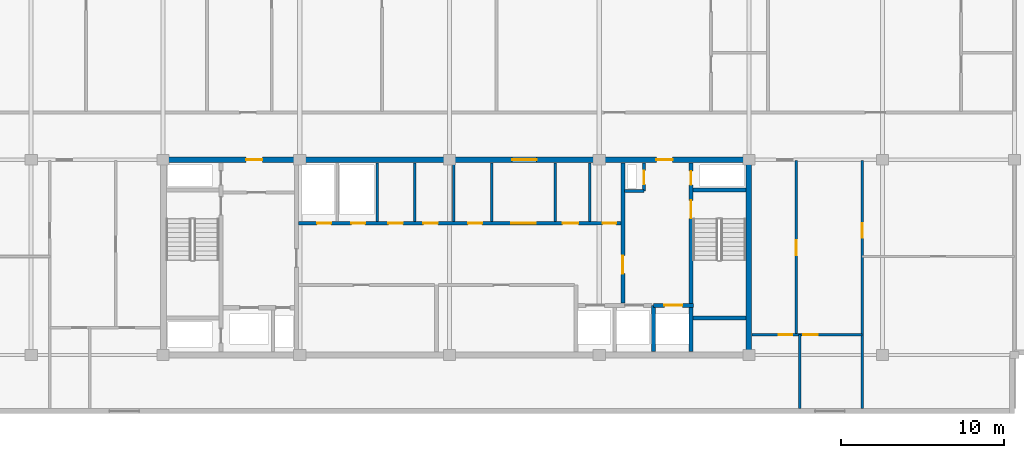
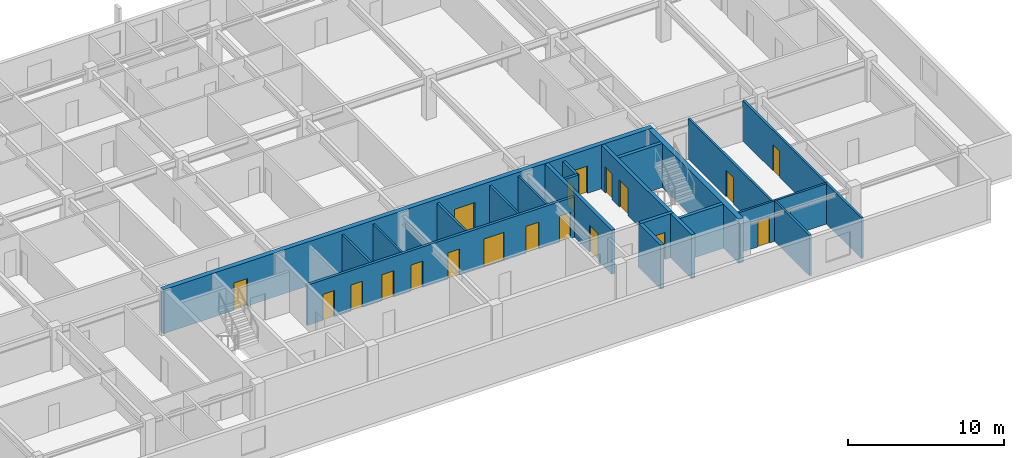
# One storey, part 5 of 11: 21 walls, 20 doors, 20 openings.
"""IFC4 building model written with IfcOpenShell, lengths in metres."""

from ifc_helpers import new_model, si_unit, direction, frame, frame_2d, origin, place, context, subcontext, project, spatial, rectangle, extrude, material, layer, layer_set, type_object, element, fill, save


model = new_model("IFC4")

# Units and contexts
model_context = context("Model", 3, precision=1e-05, world=origin(), true_north=direction((0.0, 1.0)))
body_context = subcontext(model_context, "Body", "Model", "MODEL_VIEW")
ifc_project = project(units=[si_unit("LENGTHUNIT", "METRE"), si_unit("AREAUNIT", "SQUARE_METRE"), si_unit("VOLUMEUNIT", "CUBIC_METRE"), si_unit("PLANEANGLEUNIT", "RADIAN"), si_unit("MASSUNIT", "GRAM", prefix="KILO")], contexts=[model_context])

# Site, building, storey
site_placement = place(None, origin())
site = spatial("IfcSite", under=ifc_project, at=site_placement, CompositionType="ELEMENT")
building_placement = place(site_placement, origin())
building = spatial("IfcBuilding", under=site, at=building_placement, Name="Korimba Cascade Residences", CompositionType="ELEMENT")
storey_placement = place(building_placement, frame((0.0, 0.0, 252.800048828125)))
storey = spatial("IfcBuildingStorey", under=building, at=storey_placement, Name="L73", CompositionType="ELEMENT", Elevation=252.800048828125)

# Wall
ifc_material_1 = material(Name="Concrete C65/80", Category="concrete")
ifc_layer_1 = layer(ifc_material_1, 0.35009765625)
ifc_layer_set_1 = layer_set([ifc_layer_1], Name="Concrete C65/80")
wall_type_1 = type_object("IfcWallType", Name="WAL-CORE-350", PredefinedType="SHEAR", material=ifc_layer_set_1)
wall_1_placement = place(storey_placement, frame((112.074951171875, 55.375, 0.0), z_axis=(0.0, 0.0, 1.0), x_axis=(0.0, 1.0, 0.0)))
element("IfcWall", 1, at=wall_1_placement, inside=storey, type_object=wall_type_1, Name="L73 Core Shear Wall CW-L73-T1-E", PredefinedType="SHEAR", context=body_context, shape_type="SweptSolid", body=[
    extrude(rectangle(XDim=11.64990234375, YDim=0.35009765625, at=frame_2d((5.824951171875, 0.0))), origin(), (0.0, 0.0, 1.0), 3.449951171875),
])

# Wall, openings, doors
wall_2_placement = place(storey_placement, frame((75.949951171875, 67.199951171875, 0.0), z_axis=(0.0, 0.0, 1.0), x_axis=(1.0, 0.0, 0.0)))
wall_2 = element("IfcWall", 2, at=wall_2_placement, inside=storey, type_object=wall_type_1, Name="L73 Core Shear Wall CW-L73-T1-N", PredefinedType="SHEAR", context=body_context, shape_type="SweptSolid", body=[
    extrude(rectangle(XDim=36.300048828125, YDim=0.35009765625, at=frame_2d((18.14990234375, 0.0))), origin(), (0.0, 0.0, 1.0), 3.449951171875),
])
opening_1_placement = place(wall_2_placement, frame((5.25, 0.0, 0.0)))
opening_1 = element("IfcOpeningElement", 3, at=opening_1_placement, cuts=wall_2, Name="Opening D-FD5", PredefinedType="OPENING", context=body_context, shape_type="SweptSolid", body=[
    extrude(rectangle(XDim=1.0, YDim=2.14990234375, at=frame_2d((0.5, 1.074951171875))), frame((0.0, 0.18505859375, 0.0), z_axis=(0.0, -1.0, 0.0), x_axis=(1.0, 0.0, 0.0)), (0.0, 0.0, 1.0), 0.3701171875),
])
opening_2_placement = place(wall_2_placement, frame((21.60009765625, 0.0, 0.0)))
opening_2 = element("IfcOpeningElement", 4, at=opening_2_placement, cuts=wall_2, Name="Opening D-FD8", PredefinedType="OPENING", context=body_context, shape_type="SweptSolid", body=[
    extrude(rectangle(XDim=1.5, YDim=2.199951171875, at=frame_2d((0.75, 1.10009765625))), frame((0.0, 0.18505859375, 0.0), z_axis=(0.0, -1.0, 0.0), x_axis=(1.0, 0.0, 0.0)), (0.0, 0.0, 1.0), 0.3701171875),
])
opening_3_placement = place(wall_2_placement, frame((30.449951171875, 0.0, 0.0)))
opening_3 = element("IfcOpeningElement", 5, at=opening_3_placement, cuts=wall_2, Name="Opening D-FD5", PredefinedType="OPENING", context=body_context, shape_type="SweptSolid", body=[
    extrude(rectangle(XDim=1.0, YDim=2.14990234375, at=frame_2d((0.5, 1.074951171875))), frame((0.0, 0.18505859375, 0.0), z_axis=(0.0, -1.0, 0.0), x_axis=(1.0, 0.0, 0.0)), (0.0, 0.0, 1.0), 0.3701171875),
])
ifc_material_2 = material(Name="Fire-Rated Acoustic Timber Vestibule Door", Category="wood")
door_type_1 = type_object("IfcDoorType", Name="DR-FD90-1000", OperationType="NOTDEFINED", PredefinedType="DOOR", material=ifc_material_2)
door_1_placement = place(opening_1_placement, origin())
door_1 = element("IfcDoor", 6, at=door_1_placement, inside=storey, type_object=door_type_1, Name="L73 T1 West Core Vestibule Fire Door", OperationType="SINGLE_SWING_RIGHT", OverallHeight=2.14990234375, OverallWidth=1.0, PredefinedType="DOOR", context=body_context, shape_type="SweptSolid", body=[
    extrude(rectangle(XDim=1.0, YDim=2.14990234375, at=frame_2d((0.5, 1.074951171875))), frame((0.0, 0.02490234375, 0.0), z_axis=(0.0, -1.0, 0.0), x_axis=(1.0, 0.0, 0.0)), (0.0, 0.0, 1.0), 0.050048828125),
])
fill(opening_1, door_1)
door_2_placement = place(opening_3_placement, origin())
door_2 = element("IfcDoor", 7, at=door_2_placement, inside=storey, type_object=door_type_1, Name="L73 T1 East Firefighting Vestibule Fire Door", OperationType="SINGLE_SWING_LEFT", OverallHeight=2.14990234375, OverallWidth=1.0, PredefinedType="DOOR", context=body_context, shape_type="SweptSolid", body=[
    extrude(rectangle(XDim=1.0, YDim=2.14990234375, at=frame_2d((0.5, 1.074951171875))), frame((0.0, 0.02490234375, 0.0), z_axis=(0.0, -1.0, 0.0), x_axis=(1.0, 0.0, 0.0)), (0.0, 0.0, 1.0), 0.050048828125),
])
fill(opening_3, door_2)
ifc_material_3 = material(Name="Fire-Rated Glazed Lift Lobby Double Door", Category="glass")
door_type_2 = type_object("IfcDoorType", Name="DR-FD90-1500", OperationType="NOTDEFINED", PredefinedType="DOOR", material=ifc_material_3)
door_3_placement = place(opening_2_placement, origin())
door_3 = element("IfcDoor", 8, at=door_3_placement, inside=storey, type_object=door_type_2, Name="L73 T1 Lift Lobby Fire Door", OperationType="DOUBLE_DOOR_SINGLE_SWING", OverallHeight=2.199951171875, OverallWidth=1.5, PredefinedType="DOOR", context=body_context, shape_type="SweptSolid", body=[
    extrude(rectangle(XDim=1.5, YDim=2.199951171875, at=frame_2d((0.75, 1.10009765625))), frame((0.0, 0.02490234375, 0.0), z_axis=(0.0, -1.0, 0.0), x_axis=(1.0, 0.0, 0.0)), (0.0, 0.0, 1.0), 0.050048828125),
])
fill(opening_2, door_3)

# Walls
ifc_material_4 = material(Name="Insulated Acoustic Stud Partition", Category="gypsum")
ifc_layer_2 = layer(ifc_material_4, 0.14990234375)
ifc_layer_set_2 = layer_set([ifc_layer_2], Name="Insulated Acoustic Stud Partition")
wall_type_2 = type_object("IfcWallType", Name="WAL-PART-150", PredefinedType="PARTITIONING", material=ifc_layer_set_2)
for number, where, z_axis, x_axis, name in (
    (9, (89.25, 63.39990234375, 0.0), (0.0, 0.0, 1.0), (0.0, 1.0, 0.0), "L73 Partition Wall CW-L73-T1-PRDIV"),
    (10, (91.550048828125, 63.39990234375, 0.0), (0.0, 0.0, 1.0), (0.0, 1.0, 0.0), "L73 Partition Wall CW-L73-T1-CA1W1"),
):
    element("IfcWall", number, at=place(storey_placement, frame(where, z_axis=z_axis, x_axis=x_axis)), inside=storey, type_object=wall_type_2, Name=name, PredefinedType="PARTITIONING", context=body_context, shape_type="SweptSolid", body=[
        extrude(rectangle(XDim=3.60009765625, YDim=0.14990234375, at=frame_2d((1.800048828125, 0.0))), origin(), (0.0, 0.0, 1.0), 3.169921875),
    ])
wall_3_placement = place(storey_placement, frame((93.949951171875, 63.39990234375, 0.0), z_axis=(0.0, 0.0, 1.0), x_axis=(0.0, 1.0, 0.0)))
element("IfcWall", 11, at=wall_3_placement, inside=storey, type_object=wall_type_2, Name="L73 Partition Wall CW-L73-T1-CA1W2", PredefinedType="PARTITIONING", context=body_context, shape_type="SweptSolid", body=[
    extrude(rectangle(XDim=3.60009765625, YDim=0.14990234375, at=frame_2d((1.800048828125, 0.0))), origin(), (0.0, 0.0, 1.0), 2.47705078125),
])
for number, where, z_axis, x_axis, name in (
    (12, (102.300048828125, 63.39990234375, 0.0), (0.0, 0.0, 1.0), (0.0, 1.0, 0.0), "L73 Partition Wall CW-L73-T1-CA1E1"),
    (13, (96.300048828125, 63.39990234375, 0.0), (0.0, 0.0, 1.0), (0.0, 1.0, 0.0), "L73 Partition Wall CW-L73-T1-THW"),
    (14, (100.199951171875, 63.39990234375, 0.0), (0.0, 0.0, 1.0), (0.0, 1.0, 0.0), "L73 Partition Wall CW-L73-T1-THE"),
):
    element("IfcWall", number, at=place(storey_placement, frame(where, z_axis=z_axis, x_axis=x_axis)), inside=storey, type_object=wall_type_2, Name=name, PredefinedType="PARTITIONING", context=body_context, shape_type="SweptSolid", body=[
        extrude(rectangle(XDim=3.60009765625, YDim=0.14990234375, at=frame_2d((1.800048828125, 0.0))), origin(), (0.0, 0.0, 1.0), 3.169921875),
    ])

# Wall, opening, door
wall_4_placement = place(storey_placement, frame((119.050048828125, 51.89990234375, 0.0), z_axis=(0.0, 0.0, 1.0), x_axis=(0.0, 1.0, 0.0)))
wall_4 = element("IfcWall", 15, at=wall_4_placement, inside=storey, type_object=wall_type_2, Name="L73 Partition Wall WAL-L73-T1-FE-STV", PredefinedType="PARTITIONING", context=body_context, shape_type="SweptSolid", body=[
    extrude(rectangle(XDim=15.25, YDim=0.14990234375, at=frame_2d((7.625, 0.0))), origin(), (0.0, 0.0, 1.0), 3.169921875),
])
opening_4_placement = place(wall_4_placement, frame((10.5, 0.0, 0.0)))
opening_4 = element("IfcOpeningElement", 16, at=opening_4_placement, cuts=wall_4, Name="Opening D-IN2", PredefinedType="OPENING", context=body_context, shape_type="SweptSolid", body=[
    extrude(rectangle(XDim=0.8798828125, YDim=2.06005859375, at=frame_2d((0.43994140625, 1.030029296875))), frame((0.0, 0.0849609375, 0.0), z_axis=(0.0, -1.0, 0.0), x_axis=(1.0, 0.0, 0.0)), (0.0, 0.0, 1.0), 0.169921875),
])
ifc_material_5 = material(Name="Acoustic Timber Bedroom Door", Category="wood")
door_type_3 = type_object("IfcDoorType", Name="DR-INT-880", OperationType="NOTDEFINED", PredefinedType="DOOR", material=ifc_material_5)
door_4_placement = place(opening_4_placement, origin())
door_4 = element("IfcDoor", 17, at=door_4_placement, inside=storey, type_object=door_type_3, Name="L73-T1-FE Study Door", OperationType="SINGLE_SWING_RIGHT", OverallHeight=2.06005859375, OverallWidth=0.8798828125, PredefinedType="DOOR", context=body_context, shape_type="SweptSolid", body=[
    extrude(rectangle(XDim=0.8798828125, YDim=2.06005859375, at=frame_2d((0.43994140625, 1.030029296875))), frame((0.0, 0.02490234375, 0.0), z_axis=(0.0, -1.0, 0.0), x_axis=(1.0, 0.0, 0.0)), (0.0, 0.0, 1.0), 0.050048828125),
])
fill(opening_4, door_4)

wall_5_placement = place(storey_placement, frame((115.0, 56.449951171875, 0.0), z_axis=(0.0, 0.0, 1.0), x_axis=(0.0, 1.0, 0.0)))
wall_5 = element("IfcWall", 18, at=wall_5_placement, inside=storey, type_object=wall_type_2, Name="L73 Partition Wall WAL-L73-T1-FE-VN", PredefinedType="PARTITIONING", context=body_context, shape_type="SweptSolid", body=[
    extrude(rectangle(XDim=10.699951171875, YDim=0.14990234375, at=frame_2d((5.35009765625, 0.0))), origin(), (0.0, 0.0, 1.0), 3.169921875),
])
opening_5_placement = place(wall_5_placement, frame((4.889892578125, 0.0, 0.0)))
opening_5 = element("IfcOpeningElement", 19, at=opening_5_placement, cuts=wall_5, Name="Opening D-IN1", PredefinedType="OPENING", context=body_context, shape_type="SweptSolid", body=[
    extrude(rectangle(XDim=0.919921875, YDim=2.080078125, at=frame_2d((0.4599609375, 1.0400390625))), frame((0.0, 0.0849609375, 0.0), z_axis=(0.0, -1.0, 0.0), x_axis=(1.0, 0.0, 0.0)), (0.0, 0.0, 1.0), 0.169921875),
])
ifc_material_6 = material(Name="Acoustic Timber Living Door", Category="wood")
door_type_4 = type_object("IfcDoorType", Name="DR-INT-920", OperationType="NOTDEFINED", PredefinedType="DOOR", material=ifc_material_6)
door_5_placement = place(opening_5_placement, origin())
door_5 = element("IfcDoor", 20, at=door_5_placement, inside=storey, type_object=door_type_4, Name="L73-T1-FE Living Door", OperationType="SINGLE_SWING_LEFT", OverallHeight=2.080078125, OverallWidth=0.919921875, PredefinedType="DOOR", context=body_context, shape_type="SweptSolid", body=[
    extrude(rectangle(XDim=0.919921875, YDim=2.080078125, at=frame_2d((0.4599609375, 1.0400390625))), frame((0.0, 0.02490234375, 0.0), z_axis=(0.0, -1.0, 0.0), x_axis=(1.0, 0.0, 0.0)), (0.0, 0.0, 1.0), 0.050048828125),
])
fill(opening_5, door_5)

# Wall
wall_6_placement = place(storey_placement, frame((115.199951171875, 51.89990234375, 0.0), z_axis=(0.0, 0.0, 1.0), x_axis=(0.0, 1.0, 0.0)))
element("IfcWall", 21, at=wall_6_placement, inside=storey, type_object=wall_type_2, Name="L73 Partition Wall WAL-L73-T1-FE-VS", PredefinedType="PARTITIONING", context=body_context, shape_type="SweptSolid", body=[
    extrude(rectangle(XDim=4.550048828125, YDim=0.14990234375, at=frame_2d((2.27490234375, 0.0))), origin(), (0.0, 0.0, 1.0), 3.169921875),
])

# Wall, openings, doors
wall_7_placement = place(storey_placement, frame((112.27001953125, 56.449951171875, 0.0), z_axis=(0.0, 0.0, 1.0), x_axis=(1.0, 0.0, 0.0)))
wall_7 = element("IfcWall", 22, at=wall_7_placement, inside=storey, type_object=wall_type_2, Name="L73 Partition Wall WAL-L73-T1-FE-H", PredefinedType="PARTITIONING", context=body_context, shape_type="SweptSolid", body=[
    extrude(rectangle(XDim=6.760009765625, YDim=0.14990234375, at=frame_2d((3.3798828125, 0.0))), origin(), (0.0, 0.0, 1.0), 3.169921875),
])
opening_6_placement = place(wall_7_placement, frame((1.6396484375, 0.0, 0.0)))
opening_6 = element("IfcOpeningElement", 23, at=opening_6_placement, cuts=wall_7, Name="Opening D-BT1", PredefinedType="OPENING", context=body_context, shape_type="SweptSolid", body=[
    extrude(rectangle(XDim=0.840087890625, YDim=2.0400390625, at=frame_2d((0.419921875, 1.02001953125))), frame((0.0, 0.0849609375, 0.0), z_axis=(0.0, -1.0, 0.0), x_axis=(1.0, 0.0, 0.0)), (0.0, 0.0, 1.0), 0.169921875),
])
opening_7_placement = place(wall_7_placement, frame((3.160400390625, 0.0, 0.0)))
opening_7 = element("IfcOpeningElement", 24, at=opening_7_placement, cuts=wall_7, Name="Opening D-IN2", PredefinedType="OPENING", context=body_context, shape_type="SweptSolid", body=[
    extrude(rectangle(XDim=0.8798828125, YDim=2.06005859375, at=frame_2d((0.43994140625, 1.030029296875))), frame((0.0, 0.0849609375, 0.0), z_axis=(0.0, -1.0, 0.0), x_axis=(1.0, 0.0, 0.0)), (0.0, 0.0, 1.0), 0.169921875),
])
ifc_material_7 = material(Name="Moisture-Resistant Bathroom Timber Door", Category="wood")
door_type_5 = type_object("IfcDoorType", Name="DR-INT-850", OperationType="NOTDEFINED", PredefinedType="DOOR", material=ifc_material_7)
door_6_placement = place(opening_6_placement, origin())
door_6 = element("IfcDoor", 25, at=door_6_placement, inside=storey, type_object=door_type_5, Name="L73-T1-FE Bathroom Door", OperationType="SINGLE_SWING_RIGHT", OverallHeight=2.0400390625, OverallWidth=0.840087890625, PredefinedType="DOOR", context=body_context, shape_type="SweptSolid", body=[
    extrude(rectangle(XDim=0.840087890625, YDim=2.0400390625, at=frame_2d((0.419921875, 1.02001953125))), frame((0.0, 0.02490234375, 0.0), z_axis=(0.0, -1.0, 0.0), x_axis=(1.0, 0.0, 0.0)), (0.0, 0.0, 1.0), 0.050048828125),
])
fill(opening_6, door_6)
door_7_placement = place(opening_7_placement, origin())
door_7 = element("IfcDoor", 26, at=door_7_placement, inside=storey, type_object=door_type_3, Name="L73-T1-FE Bedroom Door", OperationType="SINGLE_SWING_LEFT", OverallHeight=2.06005859375, OverallWidth=0.8798828125, PredefinedType="DOOR", context=body_context, shape_type="SweptSolid", body=[
    extrude(rectangle(XDim=0.8798828125, YDim=2.06005859375, at=frame_2d((0.43994140625, 1.030029296875))), frame((0.0, 0.02490234375, 0.0), z_axis=(0.0, -1.0, 0.0), x_axis=(1.0, 0.0, 0.0)), (0.0, 0.0, 1.0), 0.050048828125),
])
fill(opening_7, door_7)

ifc_material_8 = material(Name="Concrete C40/50", Category="concrete")
ifc_layer_3 = layer(ifc_material_8, 0.199951171875)
ifc_layer_set_3 = layer_set([ifc_layer_3], Name="Concrete C40/50")
wall_type_3 = type_object("IfcWallType", Name="WAL-PART-200", PredefinedType="PARTITIONING", material=ifc_layer_set_3)
wall_8_placement = place(storey_placement, frame((84.419921875, 63.300048828125, 0.0), z_axis=(0.0, 0.0, 1.0), x_axis=(1.0, 0.0, 0.0)))
wall_8 = element("IfcWall", 27, at=wall_8_placement, inside=storey, type_object=wall_type_3, Name="L73 Partition Wall CW-L73-T1-SRVROW", PredefinedType="PARTITIONING", context=body_context, shape_type="SweptSolid", body=[
    extrude(rectangle(XDim=19.830078125, YDim=0.199951171875, at=frame_2d((9.9150390625, 0.0))), origin(), (0.0, 0.0, 1.0), 3.169921875),
])
opening_8_placement = place(wall_8_placement, frame((1.14990234375, 0.0, 0.0)))
opening_8 = element("IfcOpeningElement", 28, at=opening_8_placement, cuts=wall_8, Name="Opening D-RS1", PredefinedType="OPENING", context=body_context, shape_type="SweptSolid", body=[
    extrude(rectangle(XDim=0.85009765625, YDim=2.050048828125, at=frame_2d((0.425048828125, 1.02490234375))), frame((0.0, 0.10986328125, 0.0), z_axis=(0.0, -1.0, 0.0), x_axis=(1.0, 0.0, 0.0)), (0.0, 0.0, 1.0), 0.219970703125),
])
opening_9_placement = place(wall_8_placement, frame((3.25, 0.0, 0.0)))
opening_9 = element("IfcOpeningElement", 29, at=opening_9_placement, cuts=wall_8, Name="Opening D-RS1", PredefinedType="OPENING", context=body_context, shape_type="SweptSolid", body=[
    extrude(rectangle(XDim=0.85009765625, YDim=2.050048828125, at=frame_2d((0.425048828125, 1.02490234375))), frame((0.0, 0.10986328125, 0.0), z_axis=(0.0, -1.0, 0.0), x_axis=(1.0, 0.0, 0.0)), (0.0, 0.0, 1.0), 0.219970703125),
])
opening_10_placement = place(wall_8_placement, frame((13.080078125, 0.0, 0.0)))
opening_10 = element("IfcOpeningElement", 30, at=opening_10_placement, cuts=wall_8, Name="Opening D-FD8", PredefinedType="OPENING", context=body_context, shape_type="SweptSolid", body=[
    extrude(rectangle(XDim=1.5, YDim=2.199951171875, at=frame_2d((0.75, 1.10009765625))), frame((0.0, 0.10986328125, 0.0), z_axis=(0.0, -1.0, 0.0), x_axis=(1.0, 0.0, 0.0)), (0.0, 0.0, 1.0), 0.219970703125),
])
opening_11_placement = place(wall_8_placement, frame((5.530029296875, 0.0, 0.0)))
opening_11 = element("IfcOpeningElement", 31, at=opening_11_placement, cuts=wall_8, Name="Opening D-IN2", PredefinedType="OPENING", context=body_context, shape_type="SweptSolid", body=[
    extrude(rectangle(XDim=0.8798828125, YDim=2.06005859375, at=frame_2d((0.43994140625, 1.030029296875))), frame((0.0, 0.10986328125, 0.0), z_axis=(0.0, -1.0, 0.0), x_axis=(1.0, 0.0, 0.0)), (0.0, 0.0, 1.0), 0.219970703125),
])
opening_12_placement = place(wall_8_placement, frame((7.679931640625, 0.0, 0.0)))
opening_12 = element("IfcOpeningElement", 32, at=opening_12_placement, cuts=wall_8, Name="Opening D-IN2", PredefinedType="OPENING", context=body_context, shape_type="SweptSolid", body=[
    extrude(rectangle(XDim=0.8798828125, YDim=2.06005859375, at=frame_2d((0.43994140625, 1.030029296875))), frame((0.0, 0.10986328125, 0.0), z_axis=(0.0, -1.0, 0.0), x_axis=(1.0, 0.0, 0.0)), (0.0, 0.0, 1.0), 0.219970703125),
])
opening_13_placement = place(wall_8_placement, frame((10.429931640625, 0.0, 0.0)))
opening_13 = element("IfcOpeningElement", 33, at=opening_13_placement, cuts=wall_8, Name="Opening D-RS1", PredefinedType="OPENING", context=body_context, shape_type="SweptSolid", body=[
    extrude(rectangle(XDim=0.85009765625, YDim=2.050048828125, at=frame_2d((0.425048828125, 1.02490234375))), frame((0.0, 0.10986328125, 0.0), z_axis=(0.0, -1.0, 0.0), x_axis=(1.0, 0.0, 0.0)), (0.0, 0.0, 1.0), 0.219970703125),
])
opening_14_placement = place(wall_8_placement, frame((16.22998046875, 0.0, 0.0)))
opening_14 = element("IfcOpeningElement", 34, at=opening_14_placement, cuts=wall_8, Name="Opening D-AC1", PredefinedType="OPENING", context=body_context, shape_type="SweptSolid", body=[
    extrude(rectangle(XDim=0.9599609375, YDim=2.10009765625, at=frame_2d((0.47998046875, 1.050048828125))), frame((0.0, 0.10986328125, 0.0), z_axis=(0.0, -1.0, 0.0), x_axis=(1.0, 0.0, 0.0)), (0.0, 0.0, 1.0), 0.219970703125),
])
opening_15_placement = place(wall_8_placement, frame((18.679931640625, 0.0, 0.0)))
opening_15 = element("IfcOpeningElement", 35, at=opening_15_placement, cuts=wall_8, Name="Opening D-BT1", PredefinedType="OPENING", context=body_context, shape_type="SweptSolid", body=[
    extrude(rectangle(XDim=0.840087890625, YDim=2.0400390625, at=frame_2d((0.419921875, 1.02001953125))), frame((0.0, 0.10986328125, 0.0), z_axis=(0.0, -1.0, 0.0), x_axis=(1.0, 0.0, 0.0)), (0.0, 0.0, 1.0), 0.219970703125),
])
ifc_material_9 = material(Name="Accessible Acoustic Timber WC Door", Category="wood")
door_type_6 = type_object("IfcDoorType", Name="DR-ACC-950", OperationType="NOTDEFINED", PredefinedType="DOOR", material=ifc_material_9)
door_8_placement = place(opening_14_placement, origin())
door_8 = element("IfcDoor", 36, at=door_8_placement, inside=storey, type_object=door_type_6, Name="L73 Accessible Staff WC Door", OperationType="SINGLE_SWING_LEFT", OverallHeight=2.10009765625, OverallWidth=0.9599609375, PredefinedType="DOOR", context=body_context, shape_type="SweptSolid", body=[
    extrude(rectangle(XDim=0.9599609375, YDim=2.10009765625, at=frame_2d((0.47998046875, 1.050048828125))), frame((0.0, 0.02490234375, 0.0), z_axis=(0.0, -1.0, 0.0), x_axis=(1.0, 0.0, 0.0)), (0.0, 0.0, 1.0), 0.050048828125),
])
fill(opening_14, door_8)
ifc_material_10 = material(Name="Fire-Rated Steel Riser Access Door", Category="steel")
door_type_7 = type_object("IfcDoorType", Name="DR-FD60-850", OperationType="NOTDEFINED", PredefinedType="DOOR", material=ifc_material_10)
door_9_placement = place(opening_8_placement, origin())
door_9 = element("IfcDoor", 37, at=door_9_placement, inside=storey, type_object=door_type_7, Name="L73 Electrical Riser Door", OperationType="SINGLE_SWING_RIGHT", OverallHeight=2.050048828125, OverallWidth=0.85009765625, PredefinedType="DOOR", context=body_context, shape_type="SweptSolid", body=[
    extrude(rectangle(XDim=0.85009765625, YDim=2.050048828125, at=frame_2d((0.425048828125, 1.02490234375))), frame((0.0, 0.02490234375, 0.0), z_axis=(0.0, -1.0, 0.0), x_axis=(1.0, 0.0, 0.0)), (0.0, 0.0, 1.0), 0.050048828125),
])
fill(opening_8, door_9)
door_10_placement = place(opening_9_placement, origin())
door_10 = element("IfcDoor", 38, at=door_10_placement, inside=storey, type_object=door_type_7, Name="L73 Plumbing Riser Door", OperationType="SINGLE_SWING_LEFT", OverallHeight=2.050048828125, OverallWidth=0.85009765625, PredefinedType="DOOR", context=body_context, shape_type="SweptSolid", body=[
    extrude(rectangle(XDim=0.85009765625, YDim=2.050048828125, at=frame_2d((0.425048828125, 1.02490234375))), frame((0.0, 0.02490234375, 0.0), z_axis=(0.0, -1.0, 0.0), x_axis=(1.0, 0.0, 0.0)), (0.0, 0.0, 1.0), 0.050048828125),
])
fill(opening_9, door_10)
door_11_placement = place(opening_13_placement, origin())
door_11 = element("IfcDoor", 39, at=door_11_placement, inside=storey, type_object=door_type_7, Name="L73 IT Room Door", OperationType="SINGLE_SWING_RIGHT", OverallHeight=2.050048828125, OverallWidth=0.85009765625, PredefinedType="DOOR", context=body_context, shape_type="SweptSolid", body=[
    extrude(rectangle(XDim=0.85009765625, YDim=2.050048828125, at=frame_2d((0.425048828125, 1.02490234375))), frame((0.0, 0.02490234375, 0.0), z_axis=(0.0, -1.0, 0.0), x_axis=(1.0, 0.0, 0.0)), (0.0, 0.0, 1.0), 0.050048828125),
])
fill(opening_13, door_11)
door_12_placement = place(opening_10_placement, origin())
door_12 = element("IfcDoor", 40, at=door_12_placement, inside=storey, type_object=door_type_2, Name="L73 Lift Lobby Foyer Archway Door", OperationType="DOUBLE_DOOR_SINGLE_SWING", OverallHeight=2.199951171875, OverallWidth=1.5, PredefinedType="DOOR", context=body_context, shape_type="SweptSolid", body=[
    extrude(rectangle(XDim=1.5, YDim=2.199951171875, at=frame_2d((0.75, 1.10009765625))), frame((0.0, 0.02490234375, 0.0), z_axis=(0.0, -1.0, 0.0), x_axis=(1.0, 0.0, 0.0)), (0.0, 0.0, 1.0), 0.050048828125),
])
fill(opening_10, door_12)
door_13_placement = place(opening_15_placement, origin())
door_13 = element("IfcDoor", 41, at=door_13_placement, inside=storey, type_object=door_type_5, Name="L73 Vending Room Door", OperationType="SINGLE_SWING_RIGHT", OverallHeight=2.0400390625, OverallWidth=0.840087890625, PredefinedType="DOOR", context=body_context, shape_type="SweptSolid", body=[
    extrude(rectangle(XDim=0.840087890625, YDim=2.0400390625, at=frame_2d((0.419921875, 1.02001953125))), frame((0.0, 0.02490234375, 0.0), z_axis=(0.0, -1.0, 0.0), x_axis=(1.0, 0.0, 0.0)), (0.0, 0.0, 1.0), 0.050048828125),
])
fill(opening_15, door_13)
door_14_placement = place(opening_11_placement, origin())
door_14 = element("IfcDoor", 42, at=door_14_placement, inside=storey, type_object=door_type_3, Name="L73 Cleaners Door", OperationType="SINGLE_SWING_RIGHT", OverallHeight=2.06005859375, OverallWidth=0.8798828125, PredefinedType="DOOR", context=body_context, shape_type="SweptSolid", body=[
    extrude(rectangle(XDim=0.8798828125, YDim=2.06005859375, at=frame_2d((0.43994140625, 1.030029296875))), frame((0.0, 0.02490234375, 0.0), z_axis=(0.0, -1.0, 0.0), x_axis=(1.0, 0.0, 0.0)), (0.0, 0.0, 1.0), 0.050048828125),
])
fill(opening_11, door_14)
door_15_placement = place(opening_12_placement, origin())
door_15 = element("IfcDoor", 43, at=door_15_placement, inside=storey, type_object=door_type_3, Name="L73 Pantry Door", OperationType="SINGLE_SWING_LEFT", OverallHeight=2.06005859375, OverallWidth=0.8798828125, PredefinedType="DOOR", context=body_context, shape_type="SweptSolid", body=[
    extrude(rectangle(XDim=0.8798828125, YDim=2.06005859375, at=frame_2d((0.43994140625, 1.030029296875))), frame((0.0, 0.02490234375, 0.0), z_axis=(0.0, -1.0, 0.0), x_axis=(1.0, 0.0, 0.0)), (0.0, 0.0, 1.0), 0.050048828125),
])
fill(opening_12, door_15)

# Wall
wall_9_placement = place(storey_placement, frame((104.449951171875, 65.280029296875, 0.0), z_axis=(0.0, 0.0, 1.0), x_axis=(1.0, 0.0, 0.0)))
element("IfcWall", 44, at=wall_9_placement, inside=storey, type_object=wall_type_3, Name="L73 Partition Wall CW-L73-T1-HYDW2S", PredefinedType="PARTITIONING", context=body_context, shape_type="SweptSolid", body=[
    extrude(rectangle(XDim=1.199951171875, YDim=0.199951171875, at=frame_2d((0.60009765625, 0.0))), origin(), (0.0, 0.0, 1.0), 3.169921875),
])

# Wall, opening, door
wall_10_placement = place(storey_placement, frame((105.64990234375, 65.280029296875, 0.0), z_axis=(0.0, 0.0, 1.0), x_axis=(0.0, 1.0, 0.0)))
wall_10 = element("IfcWall", 45, at=wall_10_placement, inside=storey, type_object=wall_type_3, Name="L73 Partition Wall CW-L73-T1-HYDW2E", PredefinedType="PARTITIONING", context=body_context, shape_type="SweptSolid", body=[
    extrude(rectangle(XDim=1.719970703125, YDim=0.199951171875, at=frame_2d((0.85986328125, 0.0))), origin(), (0.0, 0.0, 1.0), 3.169921875),
])
opening_16_placement = place(wall_10_placement, frame((0.39990234375, 0.0, 0.0)))
opening_16 = element("IfcOpeningElement", 46, at=opening_16_placement, cuts=wall_10, Name="Opening D-RS1", PredefinedType="OPENING", context=body_context, shape_type="SweptSolid", body=[
    extrude(rectangle(XDim=0.85009765625, YDim=2.050048828125, at=frame_2d((0.425048828125, 1.02490234375))), frame((0.0, 0.10986328125, 0.0), z_axis=(0.0, -1.0, 0.0), x_axis=(1.0, 0.0, 0.0)), (0.0, 0.0, 1.0), 0.219970703125),
])
door_16_placement = place(opening_16_placement, origin())
door_16 = element("IfcDoor", 47, at=door_16_placement, inside=storey, type_object=door_type_7, Name="L73 East Hydrant Door", OperationType="SINGLE_SWING_LEFT", OverallHeight=2.050048828125, OverallWidth=0.85009765625, PredefinedType="DOOR", context=body_context, shape_type="SweptSolid", body=[
    extrude(rectangle(XDim=0.85009765625, YDim=2.050048828125, at=frame_2d((0.425048828125, 1.02490234375))), frame((0.0, 0.02490234375, 0.0), z_axis=(0.0, -1.0, 0.0), x_axis=(1.0, 0.0, 0.0)), (0.0, 0.0, 1.0), 0.050048828125),
])
fill(opening_16, door_16)

# Wall
ifc_material_11 = material(Name="Concrete C50/60", Category="concrete")
ifc_layer_4 = layer(ifc_material_11, 0.25)
ifc_layer_set_4 = layer_set([ifc_layer_4], Name="Concrete C50/60")
wall_type_4 = type_object("IfcWallType", Name="WAL-SHAFT-250", PredefinedType="SHEAR", material=ifc_layer_set_4)
wall_11_placement = place(storey_placement, frame((106.219970703125, 55.39990234375, 0.0), z_axis=(0.0, 0.0, 1.0), x_axis=(0.0, 1.0, 0.0)))
element("IfcWall", 48, at=wall_11_placement, inside=storey, type_object=wall_type_4, Name="L73 Core Shear Wall CW-L73-T1-FF2W", PredefinedType="SHEAR", context=body_context, shape_type="SweptSolid", body=[
    extrude(rectangle(XDim=2.85009765625, YDim=0.25, at=frame_2d((1.425048828125, 0.0))), origin(), (0.0, 0.0, 1.0), 3.449951171875),
])

# Wall, opening, door
wall_12_placement = place(storey_placement, frame((106.219970703125, 58.25, 0.0), z_axis=(0.0, 0.0, 1.0), x_axis=(1.0, 0.0, 0.0)))
wall_12 = element("IfcWall", 49, at=wall_12_placement, inside=storey, type_object=wall_type_4, Name="L73 Core Shear Wall CW-L73-T1-FF2N", PredefinedType="SHEAR", context=body_context, shape_type="SweptSolid", body=[
    extrude(rectangle(XDim=2.4599609375, YDim=0.25, at=frame_2d((1.22998046875, 0.0))), origin(), (0.0, 0.0, 1.0), 3.449951171875),
])
opening_17_placement = place(wall_12_placement, frame((0.669921875, 0.0, 0.0)))
opening_17 = element("IfcOpeningElement", 50, at=opening_17_placement, cuts=wall_12, Name="Opening LD-01", PredefinedType="OPENING", context=body_context, shape_type="SweptSolid", body=[
    extrude(rectangle(XDim=1.1201171875, YDim=2.1201171875, at=frame_2d((0.56005859375, 1.06005859375))), frame((0.0, 0.135009765625, 0.0), z_axis=(0.0, -1.0, 0.0), x_axis=(1.0, 0.0, 0.0)), (0.0, 0.0, 1.0), 0.27001953125),
])
ifc_material_12 = material(Name="Stainless Steel Lift Landing Sliding Door", Category="steel")
door_type_8 = type_object("IfcDoorType", Name="DR-LIFT-1100", OperationType="NOTDEFINED", PredefinedType="DOOR", material=ifc_material_12)
door_17_placement = place(opening_17_placement, origin())
door_17 = element("IfcDoor", 51, at=door_17_placement, inside=storey, type_object=door_type_8, Name="L73 Firefighting Lift Landing Door FFL-W2", OperationType="SLIDING_TO_RIGHT", OverallHeight=2.1201171875, OverallWidth=1.1201171875, PredefinedType="DOOR", context=body_context, shape_type="SweptSolid", body=[
    extrude(rectangle(XDim=1.1201171875, YDim=2.1201171875, at=frame_2d((0.56005859375, 1.06005859375))), frame((0.0, 0.02490234375, 0.0), z_axis=(0.0, -1.0, 0.0), x_axis=(1.0, 0.0, 0.0)), (0.0, 0.0, 1.0), 0.050048828125),
])
fill(opening_17, door_17)

wall_13_placement = place(storey_placement, frame((104.35009765625, 58.39990234375, 0.0), z_axis=(0.0, 0.0, 1.0), x_axis=(0.0, 1.0, 0.0)))
wall_13 = element("IfcWall", 52, at=wall_13_placement, inside=storey, type_object=wall_type_4, Name="L73 Core Shear Wall CW-L73-T1-LLEV", PredefinedType="SHEAR", context=body_context, shape_type="SweptSolid", body=[
    extrude(rectangle(XDim=8.60009765625, YDim=0.25, at=frame_2d((4.300048828125, 0.0))), origin(), (0.0, 0.0, 1.0), 3.449951171875),
])
opening_18_placement = place(wall_13_placement, frame((1.800048828125, 0.0, 0.0)))
opening_18 = element("IfcOpeningElement", 53, at=opening_18_placement, cuts=wall_13, Name="Opening D-FD1", PredefinedType="OPENING", context=body_context, shape_type="SweptSolid", body=[
    extrude(rectangle(XDim=1.10009765625, YDim=2.10009765625, at=frame_2d((0.550048828125, 1.050048828125))), frame((0.0, 0.135009765625, 0.0), z_axis=(0.0, -1.0, 0.0), x_axis=(1.0, 0.0, 0.0)), (0.0, 0.0, 1.0), 0.27001953125),
])
ifc_material_13 = material(Name="Fire-Rated Steel Core Door", Category="steel")
door_type_9 = type_object("IfcDoorType", Name="DR-FD120-1100", OperationType="NOTDEFINED", PredefinedType="DOOR", material=ifc_material_13)
door_18_placement = place(opening_18_placement, origin())
door_18 = element("IfcDoor", 54, at=door_18_placement, inside=storey, type_object=door_type_9, Name="L73 Lift Lobby to East Firefighting Lobby Door", OperationType="SINGLE_SWING_RIGHT", OverallHeight=2.10009765625, OverallWidth=1.10009765625, PredefinedType="DOOR", context=body_context, shape_type="SweptSolid", body=[
    extrude(rectangle(XDim=1.10009765625, YDim=2.10009765625, at=frame_2d((0.550048828125, 1.050048828125))), frame((0.0, 0.02490234375, 0.0), z_axis=(0.0, -1.0, 0.0), x_axis=(1.0, 0.0, 0.0)), (0.0, 0.0, 1.0), 0.050048828125),
])
fill(opening_18, door_18)

# Wall, openings, doors
wall_14_placement = place(storey_placement, frame((108.534912109375, 55.39990234375, 0.0), z_axis=(0.0, 0.0, 1.0), x_axis=(0.0, 1.0, 0.0)))
wall_14 = element("IfcWall", 55, at=wall_14_placement, inside=storey, type_object=wall_type_4, Name="L73 Core Shear Wall CW-L73-T1-STW2W", PredefinedType="SHEAR", context=body_context, shape_type="SweptSolid", body=[
    extrude(rectangle(XDim=11.60009765625, YDim=0.25, at=frame_2d((5.800048828125, 0.0))), origin(), (0.0, 0.0, 1.0), 3.449951171875),
])
opening_19_placement = place(wall_14_placement, frame((8.199951171875, 0.0, 0.0)))
opening_19 = element("IfcOpeningElement", 56, at=opening_19_placement, cuts=wall_14, Name="Opening D-FD1", PredefinedType="OPENING", context=body_context, shape_type="SweptSolid", body=[
    extrude(rectangle(XDim=1.10009765625, YDim=2.10009765625, at=frame_2d((0.550048828125, 1.050048828125))), frame((0.0, 0.135009765625, 0.0), z_axis=(0.0, -1.0, 0.0), x_axis=(1.0, 0.0, 0.0)), (0.0, 0.0, 1.0), 0.27001953125),
])
opening_20_placement = place(wall_14_placement, frame((10.25, 0.0, 0.0)))
opening_20 = element("IfcOpeningElement", 57, at=opening_20_placement, cuts=wall_14, Name="Opening D-RS1", PredefinedType="OPENING", context=body_context, shape_type="SweptSolid", body=[
    extrude(rectangle(XDim=0.85009765625, YDim=2.050048828125, at=frame_2d((0.425048828125, 1.02490234375))), frame((0.0, 0.135009765625, 0.0), z_axis=(0.0, -1.0, 0.0), x_axis=(1.0, 0.0, 0.0)), (0.0, 0.0, 1.0), 0.27001953125),
])
door_19_placement = place(opening_19_placement, origin())
door_19 = element("IfcDoor", 58, at=door_19_placement, inside=storey, type_object=door_type_9, Name="L73 Fire Stair ST-W2 Door", OperationType="SINGLE_SWING_LEFT", OverallHeight=2.10009765625, OverallWidth=1.10009765625, PredefinedType="DOOR", context=body_context, shape_type="SweptSolid", body=[
    extrude(rectangle(XDim=1.10009765625, YDim=2.10009765625, at=frame_2d((0.550048828125, 1.050048828125))), frame((0.0, 0.02490234375, 0.0), z_axis=(0.0, -1.0, 0.0), x_axis=(1.0, 0.0, 0.0)), (0.0, 0.0, 1.0), 0.050048828125),
])
fill(opening_19, door_19)
door_20_placement = place(opening_20_placement, origin())
door_20 = element("IfcDoor", 59, at=door_20_placement, inside=storey, type_object=door_type_7, Name="L73 East Riser Door", OperationType="SINGLE_SWING_RIGHT", OverallHeight=2.050048828125, OverallWidth=0.85009765625, PredefinedType="DOOR", context=body_context, shape_type="SweptSolid", body=[
    extrude(rectangle(XDim=0.85009765625, YDim=2.050048828125, at=frame_2d((0.425048828125, 1.02490234375))), frame((0.0, 0.02490234375, 0.0), z_axis=(0.0, -1.0, 0.0), x_axis=(1.0, 0.0, 0.0)), (0.0, 0.0, 1.0), 0.050048828125),
])
fill(opening_20, door_20)

# Walls
for number, where, z_axis, x_axis, name in (
    (60, (108.659912109375, 57.47509765625, 0.0), (0.0, 0.0, 1.0), (1.0, 0.0, 0.0), "L73 Core Shear Wall CW-L73-T1-STW2S"),
    (61, (108.659912109375, 65.324951171875, 0.0), (0.0, 0.0, 1.0), (1.0, 0.0, 0.0), "L73 Core Shear Wall CW-L73-T1-STW2N"),
):
    element("IfcWall", number, at=place(storey_placement, frame(where, z_axis=z_axis, x_axis=x_axis)), inside=storey, type_object=wall_type_4, Name=name, PredefinedType="SHEAR", context=body_context, shape_type="SweptSolid", body=[
        extrude(rectangle(XDim=3.239990234375, YDim=0.25, at=frame_2d((1.6201171875, 0.0))), origin(), (0.0, 0.0, 1.0), 3.449951171875),
    ])

save(model, "model.ifc")
